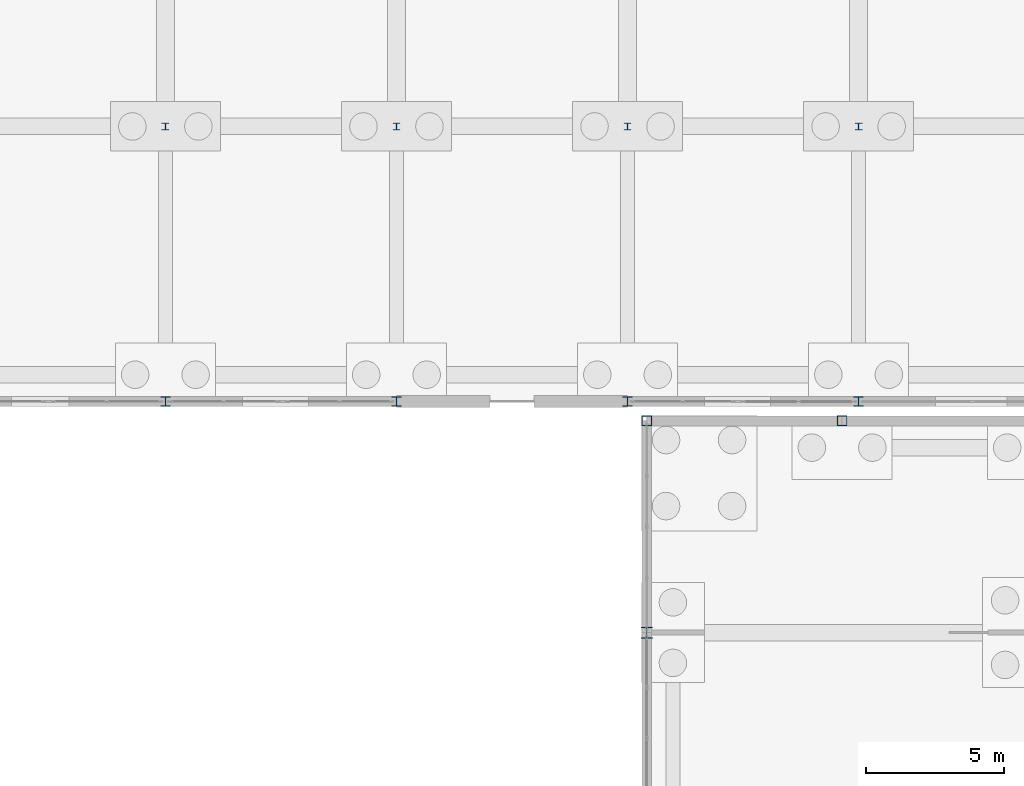
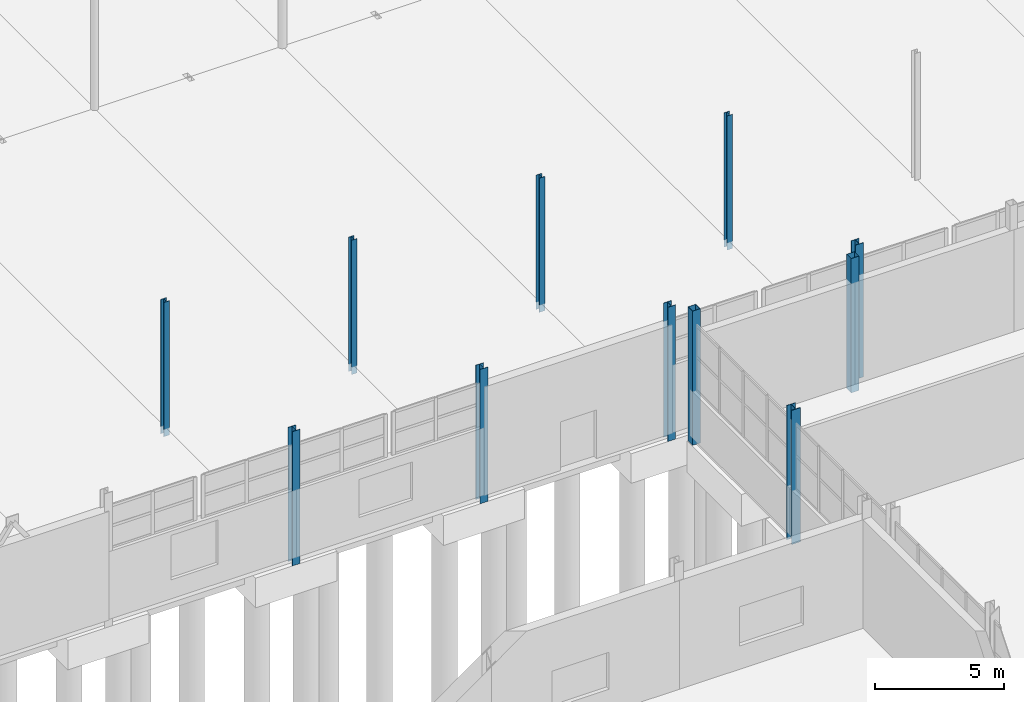
# One storey, part 41 of 139: 11 columns.
"""IFC4 building model written with IfcOpenShell, lengths in metres."""

from ifc_helpers import new_model, si_unit, direction, frame, origin, origin_2d, place, context, subcontext, project, spatial, hollow_rectangle, i_section, extrude, material, material_profile, profile_set, type_object, element, save


model = new_model("IFC4")

# Units and contexts
model_context = context("Model", 3, precision=1e-05, world=origin(), true_north=direction((0.0, 1.0)))
body_context = subcontext(model_context, "Body", "Model", "MODEL_VIEW")
ifc_project = project(units=[si_unit("LENGTHUNIT", "METRE"), si_unit("AREAUNIT", "SQUARE_METRE"), si_unit("VOLUMEUNIT", "CUBIC_METRE"), si_unit("PLANEANGLEUNIT", "RADIAN"), si_unit("MASSUNIT", "GRAM", prefix="KILO")], contexts=[model_context])

# Site, building, storey
site_placement = place(None, origin())
site = spatial("IfcSite", under=ifc_project, at=site_placement, CompositionType="ELEMENT")
building_placement = place(site_placement, origin())
building = spatial("IfcBuilding", under=site, at=building_placement, Name="Kazenagashi Tramway Depot", CompositionType="ELEMENT")
storey_placement = place(building_placement, origin())
storey = spatial("IfcBuildingStorey", under=building, at=storey_placement, Name="L01", CompositionType="ELEMENT", Elevation=0.0)

# Columns
ifc_material_1 = material(Name="Steel SN490B", Category="steel")
ifc_material_profile_1 = material_profile(ifc_material_1, i_section(OverallWidth=0.4, OverallDepth=0.4, WebThickness=0.013, FlangeThickness=0.021, at=origin_2d()), Name="H-400x400x13x21")
ifc_profile_set_1 = profile_set([ifc_material_profile_1], Name="Steel SN490B")
column_type_1 = type_object("IfcColumnType", Name="C-03", PredefinedType="COLUMN", material=ifc_profile_set_1)
column_placement = place(storey_placement, frame((146.3, 61.6, -0.35), z_axis=(0.0, 0.0, 1.0), x_axis=(1.0, 0.0, 0.0)))
element("IfcColumn", 1, at=column_placement, inside=storey, type_object=column_type_1, Name="Column C-03 COL-0383", PredefinedType="COLUMN", context=body_context, shape_type="SweptSolid", body=[
    extrude(i_section(OverallWidth=0.4, OverallDepth=0.4, WebThickness=0.013, FlangeThickness=0.021, at=origin_2d()), origin(), (0.0, 0.0, 1.0), 6.35),
])
ifc_material_profile_2 = material_profile(ifc_material_1, i_section(OverallWidth=0.35, OverallDepth=0.35, WebThickness=0.012, FlangeThickness=0.019, at=origin_2d()), Name="H-350x350x12x19")
ifc_profile_set_2 = profile_set([ifc_material_profile_2], Name="Steel SN490B")
column_type_2 = type_object("IfcColumnType", Name="C-04", PredefinedType="COLUMN", material=ifc_profile_set_2)
for number, where, z_axis, x_axis, name in (
    (2, (128.8, 70.0, -0.35), (0.0, 0.0, 1.0), (1.0, 0.0, 0.0), "Column C-04 COL-0061"),
    (3, (137.2, 70.0, -0.35), (0.0, 0.0, 1.0), (1.0, 0.0, 0.0), "Column C-04 COL-0067"),
    (4, (145.6, 70.0, -0.35), (0.0, 0.0, 1.0), (1.0, 0.0, 0.0), "Column C-04 COL-0073"),
    (5, (154.0, 70.0, -0.35), (0.0, 0.0, 1.0), (1.0, 0.0, 0.0), "Column C-04 COL-0079"),
):
    element("IfcColumn", number, at=place(storey_placement, frame(where, z_axis=z_axis, x_axis=x_axis)), inside=storey, type_object=column_type_2, Name=name, PredefinedType="COLUMN", context=body_context, shape_type="SweptSolid", body=[
        extrude(i_section(OverallWidth=0.35, OverallDepth=0.35, WebThickness=0.012, FlangeThickness=0.019, at=origin_2d()), origin(), (0.0, 0.0, 1.0), 6.35),
    ])
ifc_material_profile_3 = material_profile(ifc_material_1, i_section(OverallWidth=0.25, OverallDepth=0.25, WebThickness=0.009, FlangeThickness=0.014, at=origin_2d()), Name="H-250x250x9x14")
ifc_profile_set_3 = profile_set([ifc_material_profile_3], Name="Steel SN490B")
column_type_3 = type_object("IfcColumnType", Name="C-06", PredefinedType="COLUMN", material=ifc_profile_set_3)
for number, where, z_axis, x_axis, name in (
    (6, (128.8, 80.0, -0.35), (0.0, 0.0, 1.0), (1.0, 0.0, 0.0), "Column C-06 COL-0125"),
    (7, (137.2, 80.0, -0.35), (0.0, 0.0, 1.0), (1.0, 0.0, 0.0), "Column C-06 COL-0126"),
    (8, (145.6, 80.0, -0.35), (0.0, 0.0, 1.0), (1.0, 0.0, 0.0), "Column C-06 COL-0127"),
    (9, (154.0, 80.0, -0.35), (0.0, 0.0, 1.0), (1.0, 0.0, 0.0), "Column C-06 COL-0128"),
):
    element("IfcColumn", number, at=place(storey_placement, frame(where, z_axis=z_axis, x_axis=x_axis)), inside=storey, type_object=column_type_3, Name=name, PredefinedType="COLUMN", context=body_context, shape_type="SweptSolid", body=[
        extrude(i_section(OverallWidth=0.25, OverallDepth=0.25, WebThickness=0.009, FlangeThickness=0.014, at=origin_2d()), origin(), (0.0, 0.0, 1.0), 6.35),
    ])
ifc_material_2 = material(Name="Steel STKR490", Category="steel")
ifc_material_profile_4 = material_profile(ifc_material_2, hollow_rectangle(XDim=0.35, YDim=0.35, WallThickness=0.012, at=origin_2d()), Name="SHS-350x350x12")
ifc_profile_set_4 = profile_set([ifc_material_profile_4], Name="Steel STKR490")
column_type_4 = type_object("IfcColumnType", Name="C-09", PredefinedType="COLUMN", material=ifc_profile_set_4)
for number, where, z_axis, x_axis, name in (
    (10, (146.3, 69.3, -0.35), (0.0, 0.0, 1.0), (1.0, 0.0, 0.0), "Column C-09 COL-0386"),
    (11, (153.4, 69.3, -0.35), (0.0, 0.0, 1.0), (1.0, 0.0, 0.0), "Column C-09 COL-0391"),
):
    element("IfcColumn", number, at=place(storey_placement, frame(where, z_axis=z_axis, x_axis=x_axis)), inside=storey, type_object=column_type_4, Name=name, PredefinedType="COLUMN", context=body_context, shape_type="SweptSolid", body=[
        extrude(hollow_rectangle(XDim=0.35, YDim=0.35, WallThickness=0.012, at=origin_2d()), origin(), (0.0, 0.0, 1.0), 6.35),
    ])

save(model, "model.ifc")
